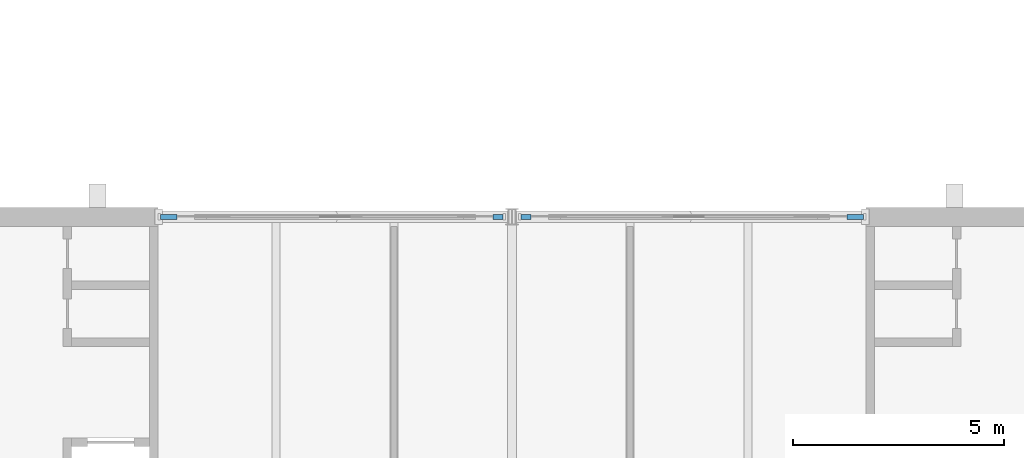
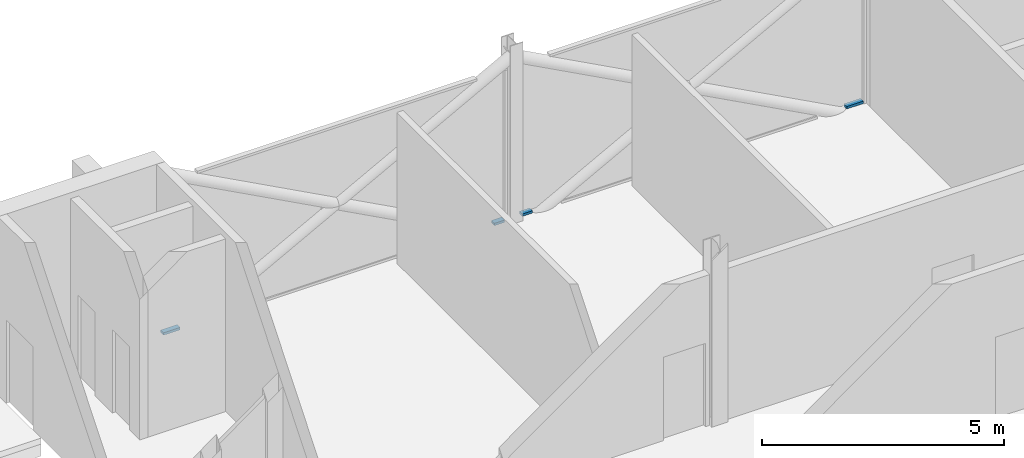
# One storey, part 14 of 29: 4 members, 2 elements without a shape of their own.
"""IFC4 building model written with IfcOpenShell, lengths in metres."""

from ifc_helpers import new_model, si_unit, direction, frame, origin, origin_2d, place, context, subcontext, project, spatial, rectangle, extrude, material, layer, layer_set, material_profile, profile_set, type_object, element, aggregate, save


model = new_model("IFC4")

# Units and contexts
model_context = context("Model", 3, precision=1e-05, world=origin(), true_north=direction((0.0, 1.0)))
body_context = subcontext(model_context, "Body", "Model", "MODEL_VIEW")
ifc_project = project(units=[si_unit("LENGTHUNIT", "METRE"), si_unit("AREAUNIT", "SQUARE_METRE"), si_unit("VOLUMEUNIT", "CUBIC_METRE"), si_unit("PLANEANGLEUNIT", "RADIAN"), si_unit("MASSUNIT", "GRAM", prefix="KILO")], contexts=[model_context])

# Site, building, storey
site_placement = place(None, origin())
site = spatial("IfcSite", under=ifc_project, at=site_placement, CompositionType="ELEMENT")
building_placement = place(site_placement, origin())
building = spatial("IfcBuilding", under=site, at=building_placement, Name="Ardhachandra Cancer Care Centre", CompositionType="ELEMENT")
storey_placement = place(building_placement, frame((0.0, 0.0, 13.5)))
storey = spatial("IfcBuildingStorey", under=building, at=storey_placement, Name="L03", CompositionType="ELEMENT", Elevation=13.5)

# Curtain wall, members
ifc_material_1 = material(Name="Aluminium extrusion", Category="aluminium")
ifc_layer = layer(ifc_material_1, 0.14990234375)
ifc_layer_set = layer_set([ifc_layer], Name="Aluminium extrusion")
curtain_wall_type = type_object("IfcCurtainWallType", Name="Curtain wall run", PredefinedType="NOTDEFINED", material=ifc_layer_set)
curtain_wall_1_placement = place(storey_placement, origin())
curtain_wall_1 = element("IfcCurtainWall", 1, at=curtain_wall_1_placement, inside=storey, type_object=curtain_wall_type, Name="Curtain wall L03 n/0019200_0096600", PredefinedType="NOTDEFINED")
ifc_material_2 = material(Name="Aluminium extrusion", Category="aluminium")
ifc_material_profile = material_profile(ifc_material_2, rectangle(XDim=0.1201171875, YDim=0.06005859375, at=origin_2d()), Name="Curtain wall transom 60 x 120")
ifc_profile_set = profile_set([ifc_material_profile], Name="Aluminium extrusion")
member_type = type_object("IfcMemberType", Name="Curtain wall transom 60 x 120", PredefinedType="USERDEFINED", material=ifc_profile_set)
member_1_placement = place(storey_placement, frame((19.260009765625, 96.60009765625, 0.030029296875), z_axis=(1.0, 0.0, 0.0), x_axis=(0.0, 1.0, 0.0)))
member_1 = element("IfcMember", 2, at=member_1_placement, type_object=member_type, Name="CW transom 1.1", ObjectType="TRANSOM", PredefinedType="USERDEFINED", context=body_context, shape_type="SweptSolid", body=[
    extrude(rectangle(XDim=0.1201171875, YDim=0.06005859375, at=origin_2d()), origin(), (0.0, 0.0, 1.0), 0.3955078125),
])
member_2_placement = place(storey_placement, frame((27.14453125, 96.60009765625, 0.030029296875), z_axis=(1.0, 0.0, 0.0), x_axis=(0.0, 1.0, 0.0)))
member_2 = element("IfcMember", 3, at=member_2_placement, type_object=member_type, Name="CW transom 1.1", ObjectType="TRANSOM", PredefinedType="USERDEFINED", context=body_context, shape_type="SweptSolid", body=[
    extrude(rectangle(XDim=0.1201171875, YDim=0.06005859375, at=origin_2d()), origin(), (0.0, 0.0, 1.0), 0.245361328125),
])
aggregate(curtain_wall_1, [member_1, member_2])

curtain_wall_2_placement = place(storey_placement, origin())
curtain_wall_2 = element("IfcCurtainWall", 4, at=curtain_wall_2_placement, inside=storey, type_object=curtain_wall_type, Name="Curtain wall L03 n/0027600_0096600", PredefinedType="NOTDEFINED")
member_3_placement = place(storey_placement, frame((27.81005859375, 96.60009765625, 0.030029296875), z_axis=(1.0, 0.0, 0.0), x_axis=(0.0, 1.0, 0.0)))
member_3 = element("IfcMember", 5, at=member_3_placement, type_object=member_type, Name="CW transom 1.1", ObjectType="TRANSOM", PredefinedType="USERDEFINED", context=body_context, shape_type="SweptSolid", body=[
    extrude(rectangle(XDim=0.1201171875, YDim=0.06005859375, at=origin_2d()), origin(), (0.0, 0.0, 1.0), 0.245361328125),
])
member_4_placement = place(storey_placement, frame((35.54443359375, 96.60009765625, 0.030029296875), z_axis=(1.0, 0.0, 0.0), x_axis=(0.0, 1.0, 0.0)))
member_4 = element("IfcMember", 6, at=member_4_placement, type_object=member_type, Name="CW transom 1.1", ObjectType="TRANSOM", PredefinedType="USERDEFINED", context=body_context, shape_type="SweptSolid", body=[
    extrude(rectangle(XDim=0.1201171875, YDim=0.06005859375, at=origin_2d()), origin(), (0.0, 0.0, 1.0), 0.3955078125),
])
aggregate(curtain_wall_2, [member_3, member_4])

save(model, "model.ifc")
